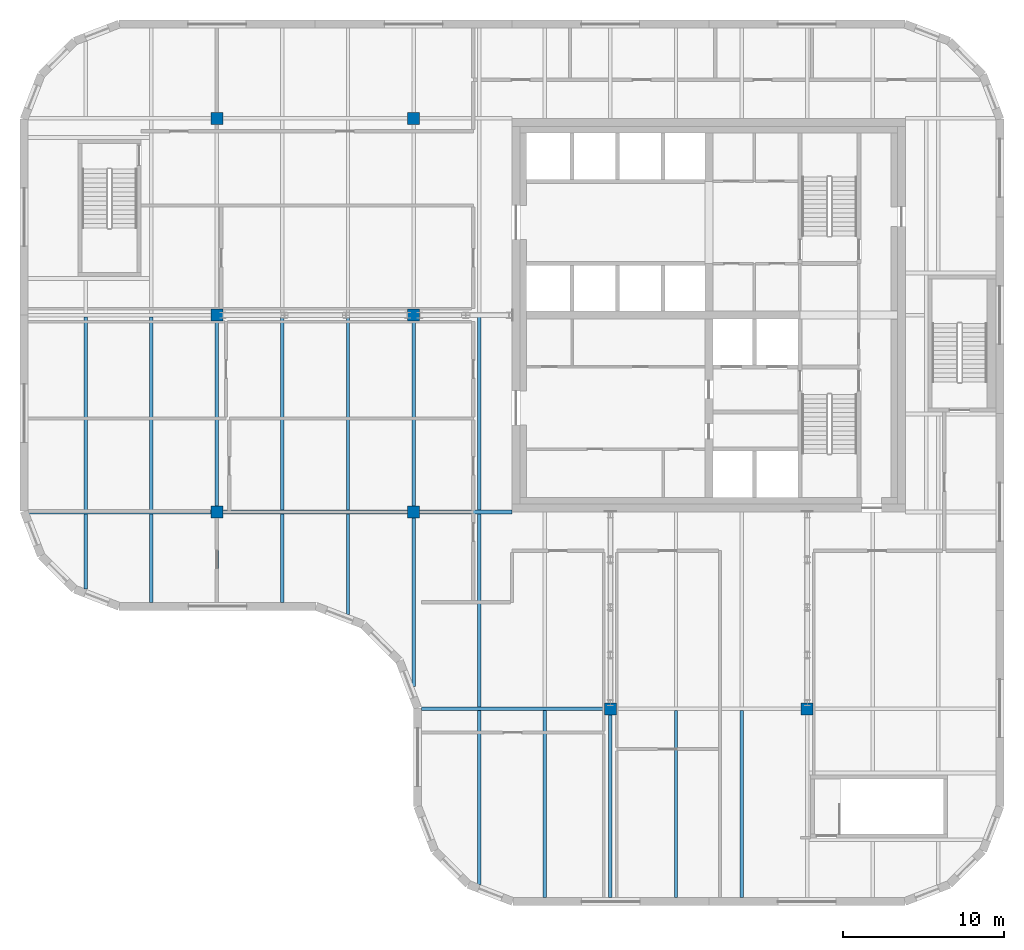
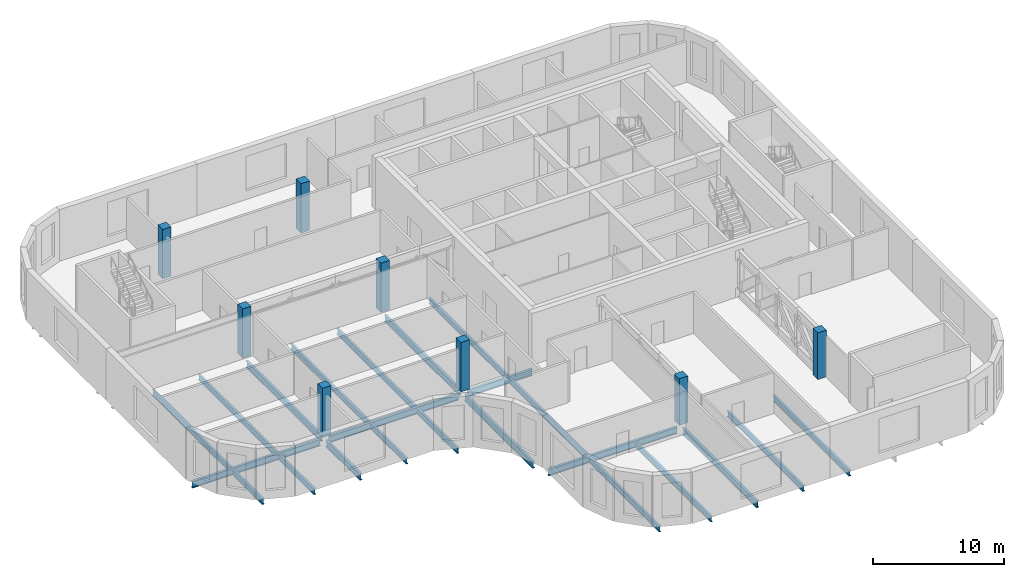
# One storey, part 1 of 12: 23 beams, 8 columns.
"""IFC4 building model written with IfcOpenShell, lengths in metres."""

from ifc_helpers import new_model, si_unit, direction, frame, origin, origin_2d, place, context, subcontext, project, spatial, rectangle, i_section, extrude, material, material_profile, profile_set, type_object, element, save


model = new_model("IFC4")

# Units and contexts
model_context = context("Model", 3, precision=1e-05, world=origin(), true_north=direction((0.0, 1.0)))
body_context = subcontext(model_context, "Body", "Model", "MODEL_VIEW")
ifc_project = project(units=[si_unit("LENGTHUNIT", "METRE"), si_unit("AREAUNIT", "SQUARE_METRE"), si_unit("VOLUMEUNIT", "CUBIC_METRE"), si_unit("PLANEANGLEUNIT", "RADIAN"), si_unit("MASSUNIT", "GRAM", prefix="KILO")], contexts=[model_context])

# Site, building, storey
site_placement = place(None, origin())
site = spatial("IfcSite", under=ifc_project, at=site_placement, CompositionType="ELEMENT")
building_placement = place(site_placement, origin())
building = spatial("IfcBuilding", under=site, at=building_placement, Name="Tessera Gate Towers", CompositionType="ELEMENT")
storey_placement = place(building_placement, frame((0.0, 0.0, 232.10009765625)))
storey = spatial("IfcBuildingStorey", under=building, at=storey_placement, Name="L58", CompositionType="ELEMENT", Elevation=232.10009765625)

# Columns
ifc_material_1 = material(Name="Concrete C70/85", Category="concrete")
ifc_material_profile_1 = material_profile(ifc_material_1, rectangle(XDim=0.75, YDim=0.75, at=origin_2d()), Name="RC 750x750")
ifc_profile_set_1 = profile_set([ifc_material_profile_1], Name="Concrete C70/85")
column_type = type_object("IfcColumnType", Name="COLUMN RC 750x750", PredefinedType="COLUMN", material=ifc_profile_set_1)
for number, where, z_axis, x_axis, name in (
    (1, (12.199951171875, 24.39990234375, 0.0), (0.0, 0.0, 1.0), (1.0, 0.0, 0.0), "T1-COL-2C-L58"),
    (2, (12.199951171875, 36.60009765625, 0.0), (0.0, 0.0, 1.0), (1.0, 0.0, 0.0), "T1-COL-2D-L58"),
    (3, (12.199951171875, 48.800048828125, 0.0), (0.0, 0.0, 1.0), (1.0, 0.0, 0.0), "T1-COL-2E-L58"),
    (4, (24.39990234375, 24.39990234375, 0.0), (0.0, 0.0, 1.0), (1.0, 0.0, 0.0), "T1-COL-3C-L58"),
    (5, (24.39990234375, 36.60009765625, 0.0), (0.0, 0.0, 1.0), (1.0, 0.0, 0.0), "T1-COL-3D-L58"),
    (6, (24.39990234375, 48.800048828125, 0.0), (0.0, 0.0, 1.0), (1.0, 0.0, 0.0), "T1-COL-3E-L58"),
):
    element("IfcColumn", number, at=place(storey_placement, frame(where, z_axis=z_axis, x_axis=x_axis)), inside=storey, type_object=column_type, Name=name, PredefinedType="COLUMN", context=body_context, shape_type="SweptSolid", body=[
        extrude(rectangle(XDim=0.75, YDim=0.75, at=origin_2d()), origin(), (0.0, 0.0, 1.0), 4.599853515625),
    ])
for number, where, z_axis, x_axis, name in (
    (7, (36.60009765625, 12.199951171875, 0.0), (0.0, 0.0, 1.0), (1.0, 0.0, 0.0), "T1-COL-4B-L58"),
    (8, (48.800048828125, 12.199951171875, 0.0), (0.0, 0.0, 1.0), (1.0, 0.0, 0.0), "T1-COL-5B-L58"),
):
    element("IfcColumn", number, at=place(storey_placement, frame(where, z_axis=z_axis, x_axis=x_axis)), inside=storey, type_object=column_type, Name=name, PredefinedType="COLUMN", context=body_context, shape_type="SweptSolid", body=[
        extrude(rectangle(XDim=0.75, YDim=0.75, at=origin_2d()), origin(), (0.0, 0.0, 1.0), 4.349853515625),
    ])

# Beams
ifc_material_2 = material(Name="Steel 350W", Category="steel")
ifc_material_profile_2 = material_profile(ifc_material_2, i_section(OverallWidth=0.22900390625, OverallDepth=0.612060546875, WebThickness=0.011962890625, FlangeThickness=0.01953125, at=origin_2d()), Name="W610x125")
ifc_profile_set_2 = profile_set([ifc_material_profile_2], Name="Steel 350W")
beam_type_1 = type_object("IfcBeamType", Name="FLOOR GIRDER W610x125", PredefinedType="BEAM", material=ifc_profile_set_2)
beam_1_placement = place(storey_placement, frame((24.89892578125, 12.199951171875, -0.606201171875), z_axis=(1.0, 0.0, 0.0), x_axis=(0.0, 1.0, 0.0)))
element("IfcBeam", 9, at=beam_1_placement, inside=storey, type_object=beam_type_1, Name="T1-GD-L58-5848", PredefinedType="BEAM", context=body_context, shape_type="SweptSolid", body=[
    extrude(i_section(OverallWidth=0.22900390625, OverallDepth=0.612060546875, WebThickness=0.011962890625, FlangeThickness=0.01953125, at=origin_2d()), origin(), (0.0, 0.0, 1.0), 11.326171875),
])
beam_2_placement = place(storey_placement, frame((0.534912109375, 24.39990234375, -0.606201171875), z_axis=(1.0, 0.0, 0.0), x_axis=(0.0, 1.0, 0.0)))
element("IfcBeam", 10, at=beam_2_placement, inside=storey, type_object=beam_type_1, Name="T1-GD-L58-5851", PredefinedType="BEAM", context=body_context, shape_type="SweptSolid", body=[
    extrude(i_section(OverallWidth=0.22900390625, OverallDepth=0.612060546875, WebThickness=0.011962890625, FlangeThickness=0.01953125, at=origin_2d()), origin(), (0.0, 0.0, 1.0), 11.2900390625),
])
beam_3_placement = place(storey_placement, frame((12.574951171875, 24.39990234375, -0.606201171875), z_axis=(1.0, 0.0, 0.0), x_axis=(0.0, 1.0, 0.0)))
element("IfcBeam", 11, at=beam_3_placement, inside=storey, type_object=beam_type_1, Name="T1-GD-L58-5852", PredefinedType="BEAM", context=body_context, shape_type="SweptSolid", body=[
    extrude(i_section(OverallWidth=0.22900390625, OverallDepth=0.612060546875, WebThickness=0.011962890625, FlangeThickness=0.01953125, at=origin_2d()), origin(), (0.0, 0.0, 1.0), 11.449951171875),
])
beam_4_placement = place(storey_placement, frame((24.77490234375, 24.39990234375, -0.606201171875), z_axis=(1.0, 0.0, 0.0), x_axis=(0.0, 1.0, 0.0)))
element("IfcBeam", 12, at=beam_4_placement, inside=storey, type_object=beam_type_1, Name="T1-GD-L58-5853", PredefinedType="BEAM", context=body_context, shape_type="SweptSolid", body=[
    extrude(i_section(OverallWidth=0.22900390625, OverallDepth=0.612060546875, WebThickness=0.011962890625, FlangeThickness=0.01953125, at=origin_2d()), origin(), (0.0, 0.0, 1.0), 5.72412109375),
])
beam_5_placement = place(storey_placement, frame((12.199951171875, 18.799072265625, -0.606201171875), z_axis=(0.0, 1.0, 0.0), x_axis=(-1.0, 0.0, 0.0)))
element("IfcBeam", 13, at=beam_5_placement, inside=storey, type_object=beam_type_1, Name="T1-GD-L58-5863", PredefinedType="BEAM", context=body_context, shape_type="SweptSolid", body=[
    extrude(i_section(OverallWidth=0.22900390625, OverallDepth=0.612060546875, WebThickness=0.011962890625, FlangeThickness=0.01953125, at=origin_2d()), origin(), (0.0, 0.0, 1.0), 5.225830078125),
])
beam_6_placement = place(storey_placement, frame((12.199951171875, 24.77490234375, -0.606201171875), z_axis=(0.0, 1.0, 0.0), x_axis=(-1.0, 0.0, 0.0)))
element("IfcBeam", 14, at=beam_6_placement, inside=storey, type_object=beam_type_1, Name="T1-GD-L58-5864", PredefinedType="BEAM", context=body_context, shape_type="SweptSolid", body=[
    extrude(i_section(OverallWidth=0.22900390625, OverallDepth=0.612060546875, WebThickness=0.011962890625, FlangeThickness=0.01953125, at=origin_2d()), origin(), (0.0, 0.0, 1.0), 11.4501953125),
])
beam_7_placement = place(storey_placement, frame((24.39990234375, 13.58642578125, -0.606201171875), z_axis=(0.0, 1.0, 0.0), x_axis=(-1.0, 0.0, 0.0)))
element("IfcBeam", 15, at=beam_7_placement, inside=storey, type_object=beam_type_1, Name="T1-GD-L58-5867", PredefinedType="BEAM", context=body_context, shape_type="SweptSolid", body=[
    extrude(i_section(OverallWidth=0.22900390625, OverallDepth=0.612060546875, WebThickness=0.011962890625, FlangeThickness=0.01953125, at=origin_2d()), origin(), (0.0, 0.0, 1.0), 10.4384765625),
])
beam_8_placement = place(storey_placement, frame((24.39990234375, 24.77490234375, -0.606201171875), z_axis=(0.0, 1.0, 0.0), x_axis=(-1.0, 0.0, 0.0)))
element("IfcBeam", 16, at=beam_8_placement, inside=storey, type_object=beam_type_1, Name="T1-GD-L58-5868", PredefinedType="BEAM", context=body_context, shape_type="SweptSolid", body=[
    extrude(i_section(OverallWidth=0.22900390625, OverallDepth=0.612060546875, WebThickness=0.011962890625, FlangeThickness=0.01953125, at=origin_2d()), origin(), (0.0, 0.0, 1.0), 11.4501953125),
])
beam_9_placement = place(storey_placement, frame((36.60009765625, 0.4990234375, -0.606201171875), z_axis=(0.0, 1.0, 0.0), x_axis=(-1.0, 0.0, 0.0)))
element("IfcBeam", 17, at=beam_9_placement, inside=storey, type_object=beam_type_1, Name="T1-GD-L58-5871", PredefinedType="BEAM", context=body_context, shape_type="SweptSolid", body=[
    extrude(i_section(OverallWidth=0.22900390625, OverallDepth=0.612060546875, WebThickness=0.011962890625, FlangeThickness=0.01953125, at=origin_2d()), origin(), (0.0, 0.0, 1.0), 11.325927734375),
])
ifc_material_3 = material(Name="Steel 350W", Category="steel")
ifc_material_profile_3 = material_profile(ifc_material_3, i_section(OverallWidth=0.208984375, OverallDepth=0.528076171875, WebThickness=0.009521484375, FlangeThickness=0.01318359375, at=origin_2d()), Name="W530x82")
ifc_profile_set_3 = profile_set([ifc_material_profile_3], Name="Steel 350W")
beam_type_2 = type_object("IfcBeamType", Name="FLOOR SECONDARY W530x82", PredefinedType="BEAM", material=ifc_profile_set_3)
beam_10_placement = place(storey_placement, frame((4.066650390625, 19.620361328125, -0.564208984375), z_axis=(0.0, 1.0, 0.0), x_axis=(-1.0, 0.0, 0.0)))
element("IfcBeam", 18, at=beam_10_placement, inside=storey, type_object=beam_type_2, Name="T1-BM-L58-5882", PredefinedType="BEAM", context=body_context, shape_type="SweptSolid", body=[
    extrude(i_section(OverallWidth=0.208984375, OverallDepth=0.528076171875, WebThickness=0.009521484375, FlangeThickness=0.01318359375, at=origin_2d()), origin(), (0.0, 0.0, 1.0), 4.6650390625),
])
beam_11_placement = place(storey_placement, frame((4.066650390625, 24.514404296875, -0.564208984375), z_axis=(0.0, 1.0, 0.0), x_axis=(-1.0, 0.0, 0.0)))
element("IfcBeam", 19, at=beam_11_placement, inside=storey, type_object=beam_type_2, Name="T1-BM-L58-5883", PredefinedType="BEAM", context=body_context, shape_type="SweptSolid", body=[
    extrude(i_section(OverallWidth=0.208984375, OverallDepth=0.528076171875, WebThickness=0.009521484375, FlangeThickness=0.01318359375, at=origin_2d()), origin(), (0.0, 0.0, 1.0), 11.97119140625),
])
beam_12_placement = place(storey_placement, frame((8.13330078125, 18.800048828125, -0.564208984375), z_axis=(0.0, 1.0, 0.0), x_axis=(-1.0, 0.0, 0.0)))
element("IfcBeam", 20, at=beam_12_placement, inside=storey, type_object=beam_type_2, Name="T1-BM-L58-5886", PredefinedType="BEAM", context=body_context, shape_type="SweptSolid", body=[
    extrude(i_section(OverallWidth=0.208984375, OverallDepth=0.528076171875, WebThickness=0.009521484375, FlangeThickness=0.01318359375, at=origin_2d()), origin(), (0.0, 0.0, 1.0), 5.4853515625),
])
beam_13_placement = place(storey_placement, frame((8.13330078125, 24.514404296875, -0.564208984375), z_axis=(0.0, 1.0, 0.0), x_axis=(-1.0, 0.0, 0.0)))
element("IfcBeam", 21, at=beam_13_placement, inside=storey, type_object=beam_type_2, Name="T1-BM-L58-5887", PredefinedType="BEAM", context=body_context, shape_type="SweptSolid", body=[
    extrude(i_section(OverallWidth=0.208984375, OverallDepth=0.528076171875, WebThickness=0.009521484375, FlangeThickness=0.01318359375, at=origin_2d()), origin(), (0.0, 0.0, 1.0), 11.97119140625),
])
beam_14_placement = place(storey_placement, frame((16.2666015625, 18.800048828125, -0.564208984375), z_axis=(0.0, 1.0, 0.0), x_axis=(-1.0, 0.0, 0.0)))
element("IfcBeam", 22, at=beam_14_placement, inside=storey, type_object=beam_type_2, Name="T1-BM-L58-5890", PredefinedType="BEAM", context=body_context, shape_type="SweptSolid", body=[
    extrude(i_section(OverallWidth=0.208984375, OverallDepth=0.528076171875, WebThickness=0.009521484375, FlangeThickness=0.01318359375, at=origin_2d()), origin(), (0.0, 0.0, 1.0), 5.4853515625),
])
beam_15_placement = place(storey_placement, frame((16.2666015625, 24.514404296875, -0.564208984375), z_axis=(0.0, 1.0, 0.0), x_axis=(-1.0, 0.0, 0.0)))
element("IfcBeam", 23, at=beam_15_placement, inside=storey, type_object=beam_type_2, Name="T1-BM-L58-5891", PredefinedType="BEAM", context=body_context, shape_type="SweptSolid", body=[
    extrude(i_section(OverallWidth=0.208984375, OverallDepth=0.528076171875, WebThickness=0.009521484375, FlangeThickness=0.01318359375, at=origin_2d()), origin(), (0.0, 0.0, 1.0), 11.97119140625),
])
beam_16_placement = place(storey_placement, frame((20.333251953125, 18.051513671875, -0.564208984375), z_axis=(0.0, 1.0, 0.0), x_axis=(-1.0, 0.0, 0.0)))
element("IfcBeam", 24, at=beam_16_placement, inside=storey, type_object=beam_type_2, Name="T1-BM-L58-5894", PredefinedType="BEAM", context=body_context, shape_type="SweptSolid", body=[
    extrude(i_section(OverallWidth=0.208984375, OverallDepth=0.528076171875, WebThickness=0.009521484375, FlangeThickness=0.01318359375, at=origin_2d()), origin(), (0.0, 0.0, 1.0), 6.23388671875),
])
beam_17_placement = place(storey_placement, frame((20.333251953125, 24.514404296875, -0.564208984375), z_axis=(0.0, 1.0, 0.0), x_axis=(-1.0, 0.0, 0.0)))
element("IfcBeam", 25, at=beam_17_placement, inside=storey, type_object=beam_type_2, Name="T1-BM-L58-5895", PredefinedType="BEAM", context=body_context, shape_type="SweptSolid", body=[
    extrude(i_section(OverallWidth=0.208984375, OverallDepth=0.528076171875, WebThickness=0.009521484375, FlangeThickness=0.01318359375, at=origin_2d()), origin(), (0.0, 0.0, 1.0), 11.97119140625),
])
beam_18_placement = place(storey_placement, frame((28.466796875, 1.3203125, -0.564208984375), z_axis=(0.0, 1.0, 0.0), x_axis=(-1.0, 0.0, 0.0)))
element("IfcBeam", 26, at=beam_18_placement, inside=storey, type_object=beam_type_2, Name="T1-BM-L58-5898", PredefinedType="BEAM", context=body_context, shape_type="SweptSolid", body=[
    extrude(i_section(OverallWidth=0.208984375, OverallDepth=0.528076171875, WebThickness=0.009521484375, FlangeThickness=0.01318359375, at=origin_2d()), origin(), (0.0, 0.0, 1.0), 10.76513671875),
])
beam_19_placement = place(storey_placement, frame((28.466796875, 12.314453125, -0.564208984375), z_axis=(0.0, 1.0, 0.0), x_axis=(-1.0, 0.0, 0.0)))
element("IfcBeam", 27, at=beam_19_placement, inside=storey, type_object=beam_type_2, Name="T1-BM-L58-5899", PredefinedType="BEAM", context=body_context, shape_type="SweptSolid", body=[
    extrude(i_section(OverallWidth=0.208984375, OverallDepth=0.528076171875, WebThickness=0.009521484375, FlangeThickness=0.01318359375, at=origin_2d()), origin(), (0.0, 0.0, 1.0), 11.970947265625),
])
beam_20_placement = place(storey_placement, frame((28.466796875, 24.514404296875, -0.564208984375), z_axis=(0.0, 1.0, 0.0), x_axis=(-1.0, 0.0, 0.0)))
element("IfcBeam", 28, at=beam_20_placement, inside=storey, type_object=beam_type_2, Name="T1-BM-L58-5900", PredefinedType="BEAM", context=body_context, shape_type="SweptSolid", body=[
    extrude(i_section(OverallWidth=0.208984375, OverallDepth=0.528076171875, WebThickness=0.009521484375, FlangeThickness=0.01318359375, at=origin_2d()), origin(), (0.0, 0.0, 1.0), 11.97119140625),
])
for number, where, z_axis, x_axis, name in (
    (29, (32.533203125, 0.5, -0.564208984375), (0.0, 1.0, 0.0), (-1.0, 0.0, 0.0), "T1-BM-L58-5903"),
    (30, (40.666748046875, 0.5, -0.564208984375), (0.0, 1.0, 0.0), (-1.0, 0.0, 0.0), "T1-BM-L58-5907"),
    (31, (44.7333984375, 0.5, -0.564208984375), (0.0, 1.0, 0.0), (-1.0, 0.0, 0.0), "T1-BM-L58-5910"),
):
    element("IfcBeam", number, at=place(storey_placement, frame(where, z_axis=z_axis, x_axis=x_axis)), inside=storey, type_object=beam_type_2, Name=name, PredefinedType="BEAM", context=body_context, shape_type="SweptSolid", body=[
        extrude(i_section(OverallWidth=0.208984375, OverallDepth=0.528076171875, WebThickness=0.009521484375, FlangeThickness=0.01318359375, at=origin_2d()), origin(), (0.0, 0.0, 1.0), 11.58544921875),
    ])

save(model, "model.ifc")
